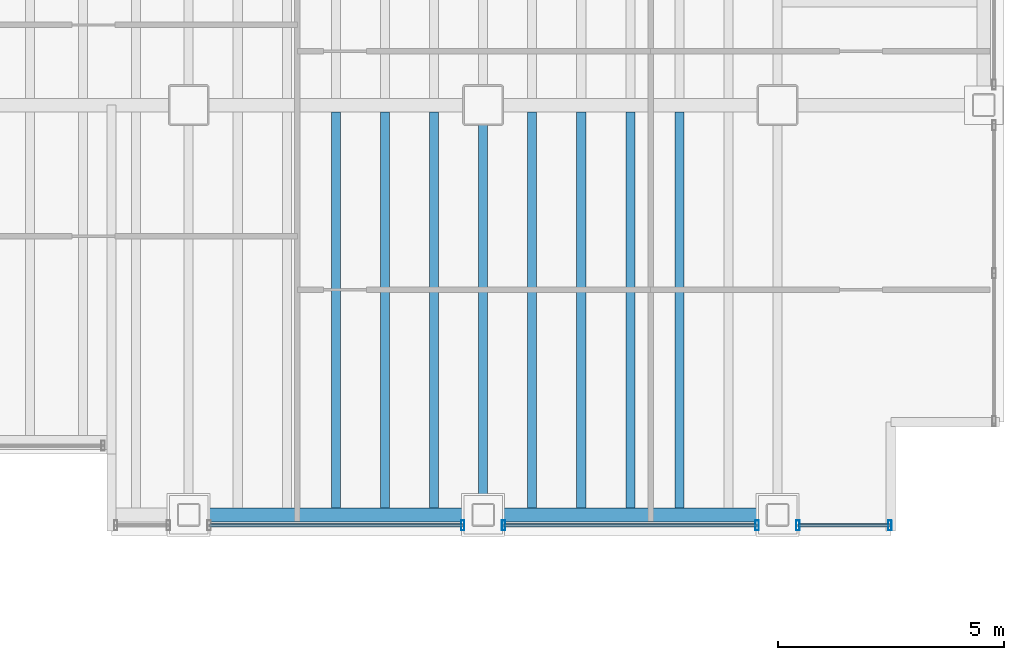
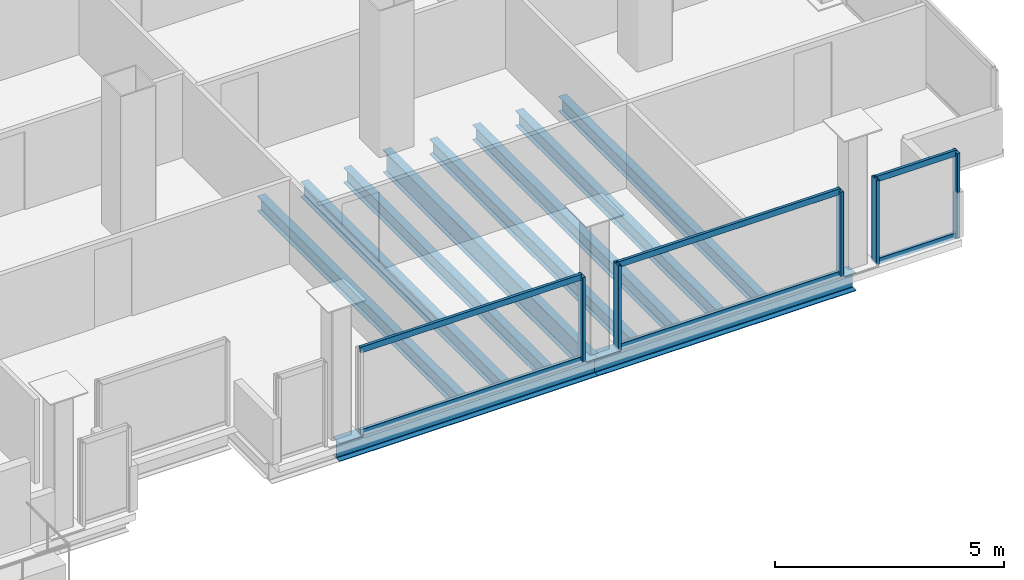
# One storey, part 13 of 22: 11 members, 10 beams, 3 elements without a shape of their own.
"""IFC4 building model written with IfcOpenShell, lengths in metres."""

from ifc_helpers import new_model, si_unit, direction, frame, origin, origin_2d, place, context, subcontext, project, spatial, hollow_rectangle, i_section, extrude, material, material_profile, profile_set, type_object, element, aggregate, save


model = new_model("IFC4")

# Units and contexts
model_context = context("Model", 3, precision=1e-05, world=origin(), true_north=direction((0.0, 1.0)))
body_context = subcontext(model_context, "Body", "Model", "MODEL_VIEW")
ifc_project = project(units=[si_unit("LENGTHUNIT", "METRE"), si_unit("AREAUNIT", "SQUARE_METRE"), si_unit("VOLUMEUNIT", "CUBIC_METRE"), si_unit("PLANEANGLEUNIT", "RADIAN"), si_unit("MASSUNIT", "GRAM", prefix="KILO")], contexts=[model_context])

# Site, building, storey
site_placement = place(None, origin())
site = spatial("IfcSite", under=ifc_project, at=site_placement, CompositionType="ELEMENT")
building_placement = place(site_placement, origin())
building = spatial("IfcBuilding", under=site, at=building_placement, Name="Noeulbin Bourse Tower", CompositionType="ELEMENT")
storey_placement = place(building_placement, frame((0.0, 0.0, 138.300048828125)))
storey = spatial("IfcBuildingStorey", under=building, at=storey_placement, Name="L34", CompositionType="ELEMENT", Elevation=138.300048828125)

# Beams
ifc_material_1 = material(Name="Steel S355", Category="steel")
ifc_material_profile_1 = material_profile(ifc_material_1, i_section(OverallWidth=0.199951171875, OverallDepth=0.60009765625, WebThickness=0.010986328125, FlangeThickness=0.01708984375, FilletRadius=0.02197265625, at=origin_2d()), Name="H-600x200x11x17", Category="LoadBearing")
ifc_profile_set_1 = profile_set([ifc_material_profile_1], Name="Steel S355")
beam_type_1 = type_object("IfcBeamType", Name="BM-GRD-600", PredefinedType="USERDEFINED", material=ifc_profile_set_1)
beam_placement = place(storey_placement, frame((37.5, 10.949951171875, -0.47998046875), z_axis=(0.0, 1.0, 0.0), x_axis=(-1.0, 0.0, 0.0)))
element("IfcBeam", 1, at=beam_placement, inside=storey, type_object=beam_type_1, Name="Tower Primary Girder NS L34-4.1", ObjectType="GIRDER", PredefinedType="USERDEFINED", context=body_context, shape_type="SweptSolid", body=[
    extrude(i_section(OverallWidth=0.199951171875, OverallDepth=0.60009765625, WebThickness=0.010986328125, FlangeThickness=0.01708984375, FilletRadius=0.02197265625, at=origin_2d()), origin(), (0.0, 0.0, 1.0), 9.050048828125),
])
ifc_material_profile_2 = material_profile(ifc_material_1, i_section(OverallWidth=0.199951171875, OverallDepth=0.39990234375, WebThickness=0.008056640625, FlangeThickness=0.012939453125, FilletRadius=0.01611328125, at=origin_2d()), Name="H-400x200x8x13", Category="LoadBearing")
ifc_profile_set_2 = profile_set([ifc_material_profile_2], Name="Steel S355")
beam_type_2 = type_object("IfcBeamType", Name="BM-SEC-400", PredefinedType="BEAM", material=ifc_profile_set_2)
for number, where, z_axis, x_axis, name in (
    (2, (34.25, 11.10009765625, -0.380126953125), (0.0, 1.0, 0.0), (-1.0, 0.0, 0.0), "Tower Composite Joist L34-31"),
    (3, (35.333251953125, 11.10009765625, -0.380126953125), (0.0, 1.0, 0.0), (-1.0, 0.0, 0.0), "Tower Composite Joist L34-33"),
    (4, (36.416748046875, 11.10009765625, -0.380126953125), (0.0, 1.0, 0.0), (-1.0, 0.0, 0.0), "Tower Composite Joist L34-35"),
    (5, (38.583251953125, 11.10009765625, -0.380126953125), (0.0, 1.0, 0.0), (-1.0, 0.0, 0.0), "Tower Composite Joist L34-37"),
    (6, (39.666748046875, 11.10009765625, -0.380126953125), (0.0, 1.0, 0.0), (-1.0, 0.0, 0.0), "Tower Composite Joist L34-39"),
    (7, (40.75, 11.10009765625, -0.380126953125), (0.0, 1.0, 0.0), (-1.0, 0.0, 0.0), "Tower Composite Joist L34-41"),
    (8, (41.833251953125, 11.10009765625, -0.380126953125), (0.0, 1.0, 0.0), (-1.0, 0.0, 0.0), "Tower Composite Joist L34-43"),
):
    element("IfcBeam", number, at=place(storey_placement, frame(where, z_axis=z_axis, x_axis=x_axis)), inside=storey, type_object=beam_type_2, Name=name, PredefinedType="BEAM", context=body_context, shape_type="SweptSolid", body=[
        extrude(i_section(OverallWidth=0.199951171875, OverallDepth=0.39990234375, WebThickness=0.008056640625, FlangeThickness=0.012939453125, FilletRadius=0.01611328125, at=origin_2d()), origin(), (0.0, 0.0, 1.0), 8.75),
    ])
ifc_material_profile_3 = material_profile(ifc_material_1, i_section(OverallWidth=0.300048828125, OverallDepth=0.488037109375, WebThickness=0.010986328125, FlangeThickness=0.01806640625, FilletRadius=0.02197265625, at=origin_2d()), Name="H-488x300x11x18", Category="LoadBearing")
ifc_profile_set_3 = profile_set([ifc_material_profile_3], Name="Steel S355")
beam_type_3 = type_object("IfcBeamType", Name="BM-SPN-488", PredefinedType="SPANDREL", material=ifc_profile_set_3)
for number, where, z_axis, x_axis, name in (
    (9, (31.0, 10.949951171875, -0.424072265625), (1.0, 0.0, 0.0), (0.0, 1.0, 0.0), "South Spandrel L34-3"),
    (10, (37.5, 10.949951171875, -0.424072265625), (1.0, 0.0, 0.0), (0.0, 1.0, 0.0), "South Spandrel L34-4"),
):
    element("IfcBeam", number, at=place(storey_placement, frame(where, z_axis=z_axis, x_axis=x_axis)), inside=storey, type_object=beam_type_3, Name=name, PredefinedType="SPANDREL", context=body_context, shape_type="SweptSolid", body=[
        extrude(i_section(OverallWidth=0.300048828125, OverallDepth=0.488037109375, WebThickness=0.010986328125, FlangeThickness=0.01806640625, FilletRadius=0.02197265625, at=origin_2d()), origin(), (0.0, 0.0, 1.0), 6.5),
    ])

# Curtain wall, member
ifc_material_2 = material(Name="Dark Tinted Triple Glazing", Category="glass")
curtain_wall_type = type_object("IfcCurtainWallType", Name="CW-SYS-3", PredefinedType="NOTDEFINED", material=ifc_material_2)
curtain_wall_1_placement = place(storey_placement, origin())
curtain_wall_1 = element("IfcCurtainWall", 11, at=curtain_wall_1_placement, inside=storey, type_object=curtain_wall_type, Name="Unitised Curtain Wall CW-L34-S3-S2", PredefinedType="NOTDEFINED")
ifc_material_3 = material(Name="Anodised Aluminium 6063-T6", Category="aluminium")
ifc_material_profile_4 = material_profile(ifc_material_3, hollow_rectangle(XDim=0.074951171875, YDim=0.219970703125, WallThickness=0.0048828125, InnerFilletRadius=0.00244140625, OuterFilletRadius=0.0048828125, at=origin_2d()), Name="ALU-MULL-75x220x5", Category="LoadBearing")
ifc_profile_set_4 = profile_set([ifc_material_profile_4], Name="Anodised Aluminium 6063-T6")
member_type_1 = type_object("IfcMemberType", Name="CW-SYS-3-MUL", PredefinedType="MULLION", material=ifc_profile_set_4)
member_1_placement = place(storey_placement, frame((37.050048828125, 10.719970703125, -0.02001953125), z_axis=(0.0, 0.0, 1.0), x_axis=(1.0, 0.0, 0.0)))
member_1 = element("IfcMember", 12, at=member_1_placement, type_object=member_type_1, Name="Curtain Wall Mullion CW-L34-S3-S2-M01", PredefinedType="MULLION", context=body_context, shape_type="SweptSolid", body=[
    extrude(hollow_rectangle(XDim=0.074951171875, YDim=0.219970703125, WallThickness=0.0048828125, InnerFilletRadius=0.00244140625, OuterFilletRadius=0.0048828125, at=origin_2d()), origin(), (0.0, 0.0, 1.0), 2.260009765625),
])

# Curtain wall, members
curtain_wall_2_placement = place(storey_placement, origin())
curtain_wall_2 = element("IfcCurtainWall", 13, at=curtain_wall_2_placement, inside=storey, type_object=curtain_wall_type, Name="Unitised Curtain Wall CW-L34-S3-S3", PredefinedType="NOTDEFINED")
member_2_placement = place(storey_placement, frame((37.949951171875, 10.719970703125, -0.02001953125), z_axis=(0.0, 0.0, 1.0), x_axis=(1.0, 0.0, 0.0)))
member_2 = element("IfcMember", 14, at=member_2_placement, type_object=member_type_1, Name="Curtain Wall Mullion CW-L34-S3-S3-M00", PredefinedType="MULLION", context=body_context, shape_type="SweptSolid", body=[
    extrude(hollow_rectangle(XDim=0.074951171875, YDim=0.219970703125, WallThickness=0.0048828125, InnerFilletRadius=0.00244140625, OuterFilletRadius=0.0048828125, at=origin_2d()), origin(), (0.0, 0.0, 1.0), 2.260009765625),
])
member_3_placement = place(storey_placement, frame((43.550048828125, 10.719970703125, -0.02001953125), z_axis=(0.0, 0.0, 1.0), x_axis=(1.0, 0.0, 0.0)))
member_3 = element("IfcMember", 15, at=member_3_placement, type_object=member_type_1, Name="Curtain Wall Mullion CW-L34-S3-S3-M01", PredefinedType="MULLION", context=body_context, shape_type="SweptSolid", body=[
    extrude(hollow_rectangle(XDim=0.074951171875, YDim=0.219970703125, WallThickness=0.0048828125, InnerFilletRadius=0.00244140625, OuterFilletRadius=0.0048828125, at=origin_2d()), origin(), (0.0, 0.0, 1.0), 2.260009765625),
])

curtain_wall_3_placement = place(storey_placement, origin())
curtain_wall_3 = element("IfcCurtainWall", 16, at=curtain_wall_3_placement, inside=storey, type_object=curtain_wall_type, Name="Unitised Curtain Wall CW-L34-S3-S4", PredefinedType="NOTDEFINED")
member_4_placement = place(storey_placement, frame((44.449951171875, 10.719970703125, -0.02001953125), z_axis=(0.0, 0.0, 1.0), x_axis=(1.0, 0.0, 0.0)))
member_4 = element("IfcMember", 17, at=member_4_placement, type_object=member_type_1, Name="Curtain Wall Mullion CW-L34-S3-S4-M00", PredefinedType="MULLION", context=body_context, shape_type="SweptSolid", body=[
    extrude(hollow_rectangle(XDim=0.074951171875, YDim=0.219970703125, WallThickness=0.0048828125, InnerFilletRadius=0.00244140625, OuterFilletRadius=0.0048828125, at=origin_2d()), origin(), (0.0, 0.0, 1.0), 2.260009765625),
])
member_5_placement = place(storey_placement, frame((46.47998046875, 10.719970703125, -0.02001953125), z_axis=(0.0, 0.0, 1.0), x_axis=(1.0, 0.0, 0.0)))
member_5 = element("IfcMember", 18, at=member_5_placement, type_object=member_type_1, Name="Curtain Wall Mullion CW-L34-S3-S4-M01", PredefinedType="MULLION", context=body_context, shape_type="SweptSolid", body=[
    extrude(hollow_rectangle(XDim=0.074951171875, YDim=0.219970703125, WallThickness=0.0048828125, InnerFilletRadius=0.00244140625, OuterFilletRadius=0.0048828125, at=origin_2d()), origin(), (0.0, 0.0, 1.0), 2.260009765625),
])

# Member
ifc_material_profile_5 = material_profile(ifc_material_3, hollow_rectangle(XDim=0.074951171875, YDim=0.159912109375, WallThickness=0.0048828125, InnerFilletRadius=0.00244140625, OuterFilletRadius=0.0048828125, at=origin_2d()), Name="ALU-TRAN-75x160x5", Category="LoadBearing")
ifc_profile_set_5 = profile_set([ifc_material_profile_5], Name="Anodised Aluminium 6063-T6")
member_type_2 = type_object("IfcMemberType", Name="CW-SYS-3-TRN", PredefinedType="USERDEFINED", material=ifc_profile_set_5)
member_6_placement = place(storey_placement, frame((31.4599609375, 10.719970703125, 0.010009765625), z_axis=(1.0, 0.0, 0.0), x_axis=(0.0, 1.0, 0.0)))
member_6 = element("IfcMember", 19, at=member_6_placement, type_object=member_type_2, Name="Curtain Wall Transom CW-L34-S3-S2-T00", ObjectType="TRANSOM", PredefinedType="USERDEFINED", context=body_context, shape_type="SweptSolid", body=[
    extrude(hollow_rectangle(XDim=0.074951171875, YDim=0.159912109375, WallThickness=0.0048828125, InnerFilletRadius=0.00244140625, OuterFilletRadius=0.0048828125, at=origin_2d()), origin(), (0.0, 0.0, 1.0), 5.580078125),
])

member_7_placement = place(storey_placement, frame((31.4599609375, 10.719970703125, 2.2099609375), z_axis=(1.0, 0.0, 0.0), x_axis=(0.0, 1.0, 0.0)))
member_7 = element("IfcMember", 20, at=member_7_placement, type_object=member_type_2, Name="Curtain Wall Transom CW-L34-S3-S2-T01", ObjectType="TRANSOM", PredefinedType="USERDEFINED", context=body_context, shape_type="SweptSolid", body=[
    extrude(hollow_rectangle(XDim=0.074951171875, YDim=0.159912109375, WallThickness=0.0048828125, InnerFilletRadius=0.00244140625, OuterFilletRadius=0.0048828125, at=origin_2d()), origin(), (0.0, 0.0, 1.0), 5.580078125),
])

aggregate(curtain_wall_1, [member_1, member_6, member_7])

member_8_placement = place(storey_placement, frame((37.9599609375, 10.719970703125, 0.010009765625), z_axis=(1.0, 0.0, 0.0), x_axis=(0.0, 1.0, 0.0)))
member_8 = element("IfcMember", 21, at=member_8_placement, type_object=member_type_2, Name="Curtain Wall Transom CW-L34-S3-S3-T00", ObjectType="TRANSOM", PredefinedType="USERDEFINED", context=body_context, shape_type="SweptSolid", body=[
    extrude(hollow_rectangle(XDim=0.074951171875, YDim=0.159912109375, WallThickness=0.0048828125, InnerFilletRadius=0.00244140625, OuterFilletRadius=0.0048828125, at=origin_2d()), origin(), (0.0, 0.0, 1.0), 5.580078125),
])

member_9_placement = place(storey_placement, frame((37.9599609375, 10.719970703125, 2.2099609375), z_axis=(1.0, 0.0, 0.0), x_axis=(0.0, 1.0, 0.0)))
member_9 = element("IfcMember", 22, at=member_9_placement, type_object=member_type_2, Name="Curtain Wall Transom CW-L34-S3-S3-T01", ObjectType="TRANSOM", PredefinedType="USERDEFINED", context=body_context, shape_type="SweptSolid", body=[
    extrude(hollow_rectangle(XDim=0.074951171875, YDim=0.159912109375, WallThickness=0.0048828125, InnerFilletRadius=0.00244140625, OuterFilletRadius=0.0048828125, at=origin_2d()), origin(), (0.0, 0.0, 1.0), 5.580078125),
])

aggregate(curtain_wall_2, [member_2, member_3, member_8, member_9])

member_10_placement = place(storey_placement, frame((44.4599609375, 10.719970703125, 0.010009765625), z_axis=(1.0, 0.0, 0.0), x_axis=(0.0, 1.0, 0.0)))
member_10 = element("IfcMember", 23, at=member_10_placement, type_object=member_type_2, Name="Curtain Wall Transom CW-L34-S3-S4-T00", ObjectType="TRANSOM", PredefinedType="USERDEFINED", context=body_context, shape_type="SweptSolid", body=[
    extrude(hollow_rectangle(XDim=0.074951171875, YDim=0.159912109375, WallThickness=0.0048828125, InnerFilletRadius=0.00244140625, OuterFilletRadius=0.0048828125, at=origin_2d()), origin(), (0.0, 0.0, 1.0), 2.010009765625),
])

member_11_placement = place(storey_placement, frame((44.4599609375, 10.719970703125, 2.2099609375), z_axis=(1.0, 0.0, 0.0), x_axis=(0.0, 1.0, 0.0)))
member_11 = element("IfcMember", 24, at=member_11_placement, type_object=member_type_2, Name="Curtain Wall Transom CW-L34-S3-S4-T01", ObjectType="TRANSOM", PredefinedType="USERDEFINED", context=body_context, shape_type="SweptSolid", body=[
    extrude(hollow_rectangle(XDim=0.074951171875, YDim=0.159912109375, WallThickness=0.0048828125, InnerFilletRadius=0.00244140625, OuterFilletRadius=0.0048828125, at=origin_2d()), origin(), (0.0, 0.0, 1.0), 2.010009765625),
])

aggregate(curtain_wall_3, [member_4, member_5, member_10, member_11])

save(model, "model.ifc")
